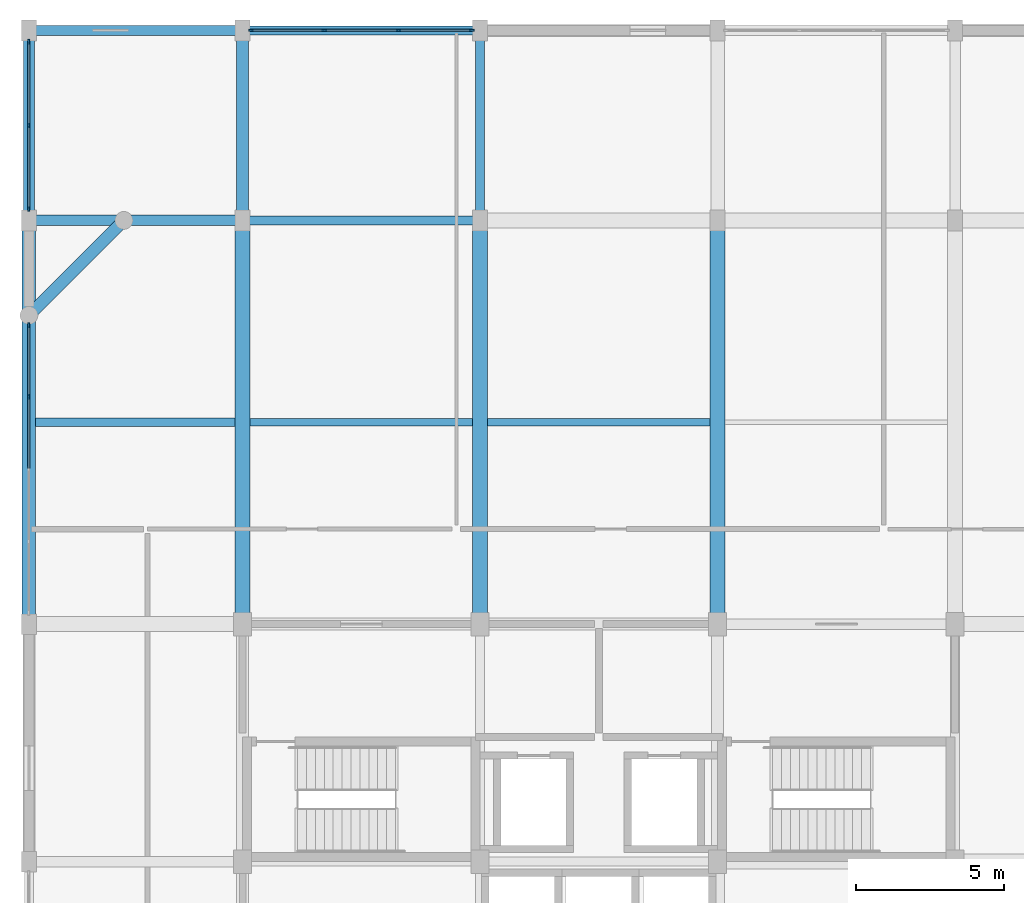
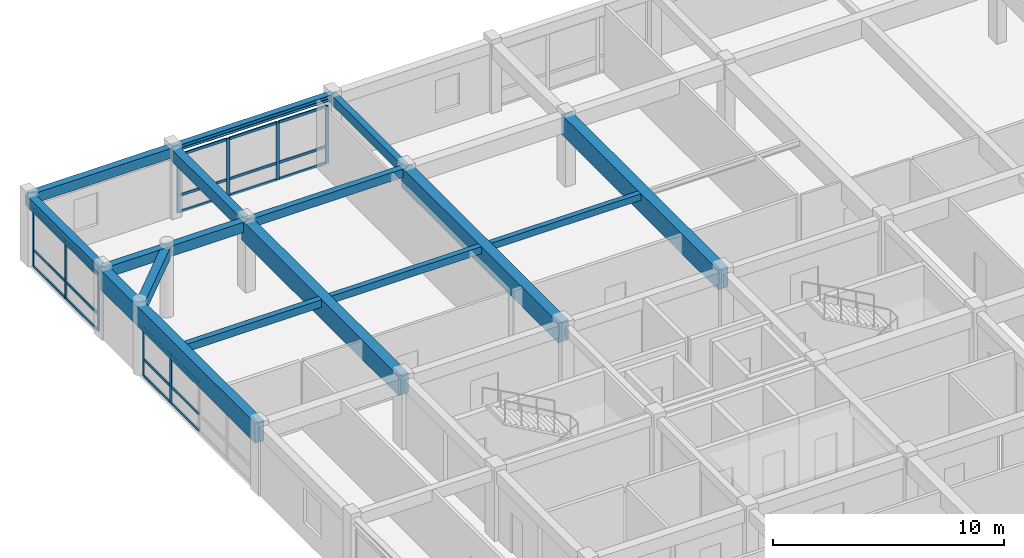
# One storey, part 5 of 13: 30 members, 15 beams, 3 elements without a shape of their own.
"""IFC4 building model written with IfcOpenShell, lengths in metres."""

from ifc_helpers import new_model, si_unit, direction, frame, origin, origin_2d, place, context, subcontext, project, spatial, rectangle, i_section, extrude, material, material_profile, profile_set, type_object, element, aggregate, save


model = new_model("IFC4")

# Units and contexts
model_context = context("Model", 3, precision=1e-05, world=origin(), true_north=direction((0.0, 1.0)))
body_context = subcontext(model_context, "Body", "Model", "MODEL_VIEW")
ifc_project = project(units=[si_unit("LENGTHUNIT", "METRE"), si_unit("AREAUNIT", "SQUARE_METRE"), si_unit("VOLUMEUNIT", "CUBIC_METRE"), si_unit("PLANEANGLEUNIT", "RADIAN"), si_unit("MASSUNIT", "GRAM", prefix="KILO")], contexts=[model_context])

# Site, building, storey
site_placement = place(None, origin())
site = spatial("IfcSite", under=ifc_project, at=site_placement, CompositionType="ELEMENT")
building_placement = place(site_placement, origin())
building = spatial("IfcBuilding", under=site, at=building_placement, Name="Vellmiral Cinema and Media Centre", CompositionType="ELEMENT")
storey_placement = place(building_placement, frame((0.0, 0.0, 50.89990234375)))
storey = spatial("IfcBuildingStorey", under=building, at=storey_placement, Name="L12", CompositionType="ELEMENT", Elevation=50.89990234375)

# Beams
ifc_material_1 = material(Name="Concrete C40/50", Category="concrete")
ifc_material_profile_1 = material_profile(ifc_material_1, rectangle(XDim=0.300048828125, YDim=0.449951171875, at=origin_2d()), Name="RC 300x450")
ifc_profile_set_1 = profile_set([ifc_material_profile_1], Name="Concrete C40/50")
beam_type_1 = type_object("IfcBeamType", Name="BM-RC-300x450", PredefinedType="BEAM", material=ifc_profile_set_1)
beam_1_placement = place(storey_placement, frame((124.0, 108.800048828125, 3.43017578125), z_axis=(1.0, 0.0, 0.0), x_axis=(0.0, 1.0, 0.0)))
element("IfcBeam", 1, at=beam_1_placement, inside=storey, type_object=beam_type_1, Name="Grid Beam L12-X026", PredefinedType="BEAM", context=body_context, shape_type="SweptSolid", body=[
    extrude(rectangle(XDim=0.300048828125, YDim=0.449951171875, at=origin_2d()), origin(), (0.0, 0.0, 1.0), 8.0),
])
ifc_material_2 = material(Name="Concrete C40/50", Category="concrete")
ifc_material_profile_2 = material_profile(ifc_material_2, rectangle(XDim=0.300048828125, YDim=0.5, at=origin_2d()), Name="RC 300x500")
ifc_profile_set_2 = profile_set([ifc_material_profile_2], Name="Concrete C40/50")
beam_type_2 = type_object("IfcBeamType", Name="BM-RC-300x500", PredefinedType="BEAM", material=ifc_profile_set_2)
beam_2_placement = place(storey_placement, frame((132.0, 108.800048828125, 3.405029296875), z_axis=(0.0, 1.0, 0.0), x_axis=(-1.0, 0.0, 0.0)))
element("IfcBeam", 2, at=beam_2_placement, inside=storey, type_object=beam_type_2, Name="Grid Beam L12-Y050", PredefinedType="BEAM", context=body_context, shape_type="SweptSolid", body=[
    extrude(rectangle(XDim=0.300048828125, YDim=0.5, at=origin_2d()), origin(), (0.0, 0.0, 1.0), 6.39990234375),
])
ifc_material_3 = material(Name="Concrete C40/50", Category="concrete")
ifc_material_profile_3 = material_profile(ifc_material_3, rectangle(XDim=0.35009765625, YDim=0.550048828125, at=origin_2d()), Name="RC 350x550")
ifc_profile_set_3 = profile_set([ifc_material_profile_3], Name="Concrete C40/50")
beam_type_3 = type_object("IfcBeamType", Name="BM-RC-350x550", PredefinedType="BEAM", material=ifc_profile_set_3)
beam_3_placement = place(storey_placement, frame((116.800048828125, 108.800048828125, 3.380126953125), z_axis=(1.0, 0.0, 0.0), x_axis=(0.0, 1.0, 0.0)))
element("IfcBeam", 3, at=beam_3_placement, inside=storey, type_object=beam_type_3, Name="Grid Beam L12-X025", PredefinedType="BEAM", context=body_context, shape_type="SweptSolid", body=[
    extrude(rectangle(XDim=0.35009765625, YDim=0.550048828125, at=origin_2d()), origin(), (0.0, 0.0, 1.0), 7.199951171875),
])
ifc_material_4 = material(Name="Concrete C40/50", Category="concrete")
ifc_material_profile_4 = material_profile(ifc_material_4, rectangle(XDim=0.39990234375, YDim=0.64990234375, at=origin_2d()), Name="RC 400x650")
ifc_profile_set_4 = profile_set([ifc_material_profile_4], Name="Concrete C40/50")
beam_type_4 = type_object("IfcBeamType", Name="BM-RC-400x650", PredefinedType="BEAM", material=ifc_profile_set_4)
beam_4_placement = place(storey_placement, frame((124.0, 108.800048828125, 3.330078125), z_axis=(0.0, 1.0, 0.0), x_axis=(-1.0, 0.0, 0.0)))
element("IfcBeam", 4, at=beam_4_placement, inside=storey, type_object=beam_type_4, Name="Grid Beam L12-Y045", PredefinedType="BEAM", context=body_context, shape_type="SweptSolid", body=[
    extrude(rectangle(XDim=0.39990234375, YDim=0.64990234375, at=origin_2d()), origin(), (0.0, 0.0, 1.0), 6.39990234375),
])
ifc_material_5 = material(Name="Concrete C40/50", Category="concrete")
ifc_material_profile_5 = material_profile(ifc_material_5, rectangle(XDim=0.5, YDim=1.050048828125, at=origin_2d()), Name="RC 500x1050")
ifc_profile_set_5 = profile_set([ifc_material_profile_5], Name="Concrete C40/50")
beam_type_5 = type_object("IfcBeamType", Name="BM-RCG-500x1050", PredefinedType="BEAM", material=ifc_profile_set_5)
for number, where, z_axis, x_axis, name in (
    (5, (124.0, 95.199951171875, 3.130126953125), (0.0, 1.0, 0.0), (-1.0, 0.0, 0.0), "Grid Beam L12-Y044"),
    (6, (132.0, 95.199951171875, 3.130126953125), (0.0, 1.0, 0.0), (-1.0, 0.0, 0.0), "Grid Beam L12-Y049"),
    (7, (140.0, 95.199951171875, 3.130126953125), (0.0, 1.0, 0.0), (-1.0, 0.0, 0.0), "Grid Beam L12-Y054"),
):
    element("IfcBeam", number, at=place(storey_placement, frame(where, z_axis=z_axis, x_axis=x_axis)), inside=storey, type_object=beam_type_5, Name=name, PredefinedType="BEAM", context=body_context, shape_type="SweptSolid", body=[
        extrude(rectangle(XDim=0.5, YDim=1.050048828125, at=origin_2d()), origin(), (0.0, 0.0, 1.0), 13.60009765625),
    ])

# Curtain wall, members
ifc_material_6 = material(Name="Thermally Broken Aluminium and Triple Glazing", Category="aluminium")
curtain_wall_type = type_object("IfcCurtainWallType", Name="CW-TOWER-MID-W", PredefinedType="USERDEFINED", material=ifc_material_6)
curtain_wall_1_placement = place(storey_placement, origin())
curtain_wall_1 = element("IfcCurtainWall", 8, at=curtain_wall_1_placement, inside=storey, type_object=curtain_wall_type, Name="Curtain Wall L12-B021", ObjectType="UNITISED CURTAIN WALL", PredefinedType="USERDEFINED")
ifc_material_7 = material(Name="Thermally Broken Anodised Aluminium", Category="aluminium")
ifc_material_profile_6 = material_profile(ifc_material_7, rectangle(XDim=0.06494140625, YDim=0.159912109375, at=origin_2d()), Name="MULL 65x160")
ifc_profile_set_6 = profile_set([ifc_material_profile_6], Name="Thermally Broken Anodised Aluminium")
member_type_1 = type_object("IfcMemberType", Name="CWM-65x160", PredefinedType="MULLION", material=ifc_profile_set_6)
member_1_placement = place(storey_placement, frame((131.717529296875, 115.199951171875, 0.0), z_axis=(0.0, 0.0, 1.0), x_axis=(0.0, -1.0, 0.0)))
member_1 = element("IfcMember", 9, at=member_1_placement, type_object=member_type_1, Name="CW-08 mullion 1", PredefinedType="MULLION", context=body_context, shape_type="SweptSolid", body=[
    extrude(rectangle(XDim=0.06494140625, YDim=0.159912109375, at=origin_2d()), origin(), (0.0, 0.0, 1.0), 3.06005859375),
])
member_2_placement = place(storey_placement, frame((129.25, 115.199951171875, 0.0), z_axis=(0.0, 0.0, 1.0), x_axis=(0.0, -1.0, 0.0)))
member_2 = element("IfcMember", 10, at=member_2_placement, type_object=member_type_1, Name="CW-08 mullion 2", PredefinedType="MULLION", context=body_context, shape_type="SweptSolid", body=[
    extrude(rectangle(XDim=0.06494140625, YDim=0.159912109375, at=origin_2d()), origin(), (0.0, 0.0, 1.0), 3.06005859375),
])
member_3_placement = place(storey_placement, frame((126.75, 115.199951171875, 0.0), z_axis=(0.0, 0.0, 1.0), x_axis=(0.0, -1.0, 0.0)))
member_3 = element("IfcMember", 11, at=member_3_placement, type_object=member_type_1, Name="CW-08 mullion 3", PredefinedType="MULLION", context=body_context, shape_type="SweptSolid", body=[
    extrude(rectangle(XDim=0.06494140625, YDim=0.159912109375, at=origin_2d()), origin(), (0.0, 0.0, 1.0), 3.06005859375),
])
member_4_placement = place(storey_placement, frame((124.282470703125, 115.199951171875, 0.0), z_axis=(0.0, 0.0, 1.0), x_axis=(0.0, -1.0, 0.0)))
member_4 = element("IfcMember", 12, at=member_4_placement, type_object=member_type_1, Name="CW-08 mullion 4", PredefinedType="MULLION", context=body_context, shape_type="SweptSolid", body=[
    extrude(rectangle(XDim=0.06494140625, YDim=0.159912109375, at=origin_2d()), origin(), (0.0, 0.0, 1.0), 3.06005859375),
])

curtain_wall_2_placement = place(storey_placement, origin())
curtain_wall_2 = element("IfcCurtainWall", 13, at=curtain_wall_2_placement, inside=storey, type_object=curtain_wall_type, Name="Curtain Wall L12-B023", ObjectType="UNITISED CURTAIN WALL", PredefinedType="USERDEFINED")
member_5_placement = place(storey_placement, frame((116.800048828125, 114.8173828125, 0.0), z_axis=(0.0, 0.0, 1.0), x_axis=(1.0, 0.0, 0.0)))
member_5 = element("IfcMember", 14, at=member_5_placement, type_object=member_type_1, Name="CW-08 mullion 1", PredefinedType="MULLION", context=body_context, shape_type="SweptSolid", body=[
    extrude(rectangle(XDim=0.06494140625, YDim=0.159912109375, at=origin_2d()), origin(), (0.0, 0.0, 1.0), 3.06005859375),
])
member_6_placement = place(storey_placement, frame((116.800048828125, 112.0, 0.0), z_axis=(0.0, 0.0, 1.0), x_axis=(1.0, 0.0, 0.0)))
member_6 = element("IfcMember", 15, at=member_6_placement, type_object=member_type_1, Name="CW-08 mullion 2", PredefinedType="MULLION", context=body_context, shape_type="SweptSolid", body=[
    extrude(rectangle(XDim=0.06494140625, YDim=0.159912109375, at=origin_2d()), origin(), (0.0, 0.0, 1.0), 3.06005859375),
])
member_7_placement = place(storey_placement, frame((116.800048828125, 109.1826171875, 0.0), z_axis=(0.0, 0.0, 1.0), x_axis=(1.0, 0.0, 0.0)))
member_7 = element("IfcMember", 16, at=member_7_placement, type_object=member_type_1, Name="CW-08 mullion 3", PredefinedType="MULLION", context=body_context, shape_type="SweptSolid", body=[
    extrude(rectangle(XDim=0.06494140625, YDim=0.159912109375, at=origin_2d()), origin(), (0.0, 0.0, 1.0), 3.06005859375),
])

curtain_wall_3_placement = place(storey_placement, origin())
curtain_wall_3 = element("IfcCurtainWall", 17, at=curtain_wall_3_placement, inside=storey, type_object=curtain_wall_type, Name="Curtain Wall L12-B025", ObjectType="UNITISED CURTAIN WALL", PredefinedType="USERDEFINED")
member_8_placement = place(storey_placement, frame((116.800048828125, 105.267578125, 0.0), z_axis=(0.0, 0.0, 1.0), x_axis=(1.0, 0.0, 0.0)))
member_8 = element("IfcMember", 18, at=member_8_placement, type_object=member_type_1, Name="CW-08 mullion 1", PredefinedType="MULLION", context=body_context, shape_type="SweptSolid", body=[
    extrude(rectangle(XDim=0.06494140625, YDim=0.159912109375, at=origin_2d()), origin(), (0.0, 0.0, 1.0), 2.59521484375),
])
member_9_placement = place(storey_placement, frame((116.800048828125, 102.862548828125, 0.0), z_axis=(0.0, 0.0, 1.0), x_axis=(1.0, 0.0, 0.0)))
member_9 = element("IfcMember", 19, at=member_9_placement, type_object=member_type_1, Name="CW-08 mullion 2", PredefinedType="MULLION", context=body_context, shape_type="SweptSolid", body=[
    extrude(rectangle(XDim=0.06494140625, YDim=0.159912109375, at=origin_2d()), origin(), (0.0, 0.0, 1.0), 2.59521484375),
])

# Member
ifc_material_8 = material(Name="Thermally Broken Anodised Aluminium", Category="aluminium")
ifc_material_profile_7 = material_profile(ifc_material_8, rectangle(XDim=0.06494140625, YDim=0.135009765625, at=origin_2d()), Name="MULL 65x135")
ifc_profile_set_7 = profile_set([ifc_material_profile_7], Name="Thermally Broken Anodised Aluminium")
member_type_2 = type_object("IfcMemberType", Name="CWT-65x135", PredefinedType="USERDEFINED", material=ifc_profile_set_7)
member_10_placement = place(storey_placement, frame((131.68505859375, 115.199951171875, 0.03271484375), z_axis=(-1.0, 0.0, 0.0), x_axis=(0.0, -1.0, 0.0)))
member_10 = element("IfcMember", 20, at=member_10_placement, type_object=member_type_2, Name="CW-08 transom 1.1", ObjectType="TRANSOM", PredefinedType="USERDEFINED", context=body_context, shape_type="SweptSolid", body=[
    extrude(rectangle(XDim=0.06494140625, YDim=0.135009765625, at=origin_2d()), origin(), (0.0, 0.0, 1.0), 2.402587890625),
])

member_11_placement = place(storey_placement, frame((131.68505859375, 115.199951171875, 0.900146484375), z_axis=(-1.0, 0.0, 0.0), x_axis=(0.0, -1.0, 0.0)))
member_11 = element("IfcMember", 21, at=member_11_placement, type_object=member_type_2, Name="CW-08 transom 1.2", ObjectType="TRANSOM", PredefinedType="USERDEFINED", context=body_context, shape_type="SweptSolid", body=[
    extrude(rectangle(XDim=0.06494140625, YDim=0.135009765625, at=origin_2d()), origin(), (0.0, 0.0, 1.0), 2.402587890625),
])

member_12_placement = place(storey_placement, frame((131.68505859375, 115.199951171875, 3.027587890625), z_axis=(-1.0, 0.0, 0.0), x_axis=(0.0, -1.0, 0.0)))
member_12 = element("IfcMember", 22, at=member_12_placement, type_object=member_type_2, Name="CW-08 transom 1.3", ObjectType="TRANSOM", PredefinedType="USERDEFINED", context=body_context, shape_type="SweptSolid", body=[
    extrude(rectangle(XDim=0.06494140625, YDim=0.135009765625, at=origin_2d()), origin(), (0.0, 0.0, 1.0), 2.402587890625),
])

member_13_placement = place(storey_placement, frame((129.217529296875, 115.199951171875, 0.03271484375), z_axis=(-1.0, 0.0, 0.0), x_axis=(0.0, -1.0, 0.0)))
member_13 = element("IfcMember", 23, at=member_13_placement, type_object=member_type_2, Name="CW-08 transom 2.1", ObjectType="TRANSOM", PredefinedType="USERDEFINED", context=body_context, shape_type="SweptSolid", body=[
    extrude(rectangle(XDim=0.06494140625, YDim=0.135009765625, at=origin_2d()), origin(), (0.0, 0.0, 1.0), 2.43505859375),
])

member_14_placement = place(storey_placement, frame((129.217529296875, 115.199951171875, 0.900146484375), z_axis=(-1.0, 0.0, 0.0), x_axis=(0.0, -1.0, 0.0)))
member_14 = element("IfcMember", 24, at=member_14_placement, type_object=member_type_2, Name="CW-08 transom 2.2", ObjectType="TRANSOM", PredefinedType="USERDEFINED", context=body_context, shape_type="SweptSolid", body=[
    extrude(rectangle(XDim=0.06494140625, YDim=0.135009765625, at=origin_2d()), origin(), (0.0, 0.0, 1.0), 2.43505859375),
])

member_15_placement = place(storey_placement, frame((129.217529296875, 115.199951171875, 3.027587890625), z_axis=(-1.0, 0.0, 0.0), x_axis=(0.0, -1.0, 0.0)))
member_15 = element("IfcMember", 25, at=member_15_placement, type_object=member_type_2, Name="CW-08 transom 2.3", ObjectType="TRANSOM", PredefinedType="USERDEFINED", context=body_context, shape_type="SweptSolid", body=[
    extrude(rectangle(XDim=0.06494140625, YDim=0.135009765625, at=origin_2d()), origin(), (0.0, 0.0, 1.0), 2.43505859375),
])

member_16_placement = place(storey_placement, frame((126.717529296875, 115.199951171875, 0.03271484375), z_axis=(-1.0, 0.0, 0.0), x_axis=(0.0, -1.0, 0.0)))
member_16 = element("IfcMember", 26, at=member_16_placement, type_object=member_type_2, Name="CW-08 transom 3.1", ObjectType="TRANSOM", PredefinedType="USERDEFINED", context=body_context, shape_type="SweptSolid", body=[
    extrude(rectangle(XDim=0.06494140625, YDim=0.135009765625, at=origin_2d()), origin(), (0.0, 0.0, 1.0), 2.402587890625),
])

member_17_placement = place(storey_placement, frame((126.717529296875, 115.199951171875, 0.900146484375), z_axis=(-1.0, 0.0, 0.0), x_axis=(0.0, -1.0, 0.0)))
member_17 = element("IfcMember", 27, at=member_17_placement, type_object=member_type_2, Name="CW-08 transom 3.2", ObjectType="TRANSOM", PredefinedType="USERDEFINED", context=body_context, shape_type="SweptSolid", body=[
    extrude(rectangle(XDim=0.06494140625, YDim=0.135009765625, at=origin_2d()), origin(), (0.0, 0.0, 1.0), 2.402587890625),
])

member_18_placement = place(storey_placement, frame((126.717529296875, 115.199951171875, 3.027587890625), z_axis=(-1.0, 0.0, 0.0), x_axis=(0.0, -1.0, 0.0)))
member_18 = element("IfcMember", 28, at=member_18_placement, type_object=member_type_2, Name="CW-08 transom 3.3", ObjectType="TRANSOM", PredefinedType="USERDEFINED", context=body_context, shape_type="SweptSolid", body=[
    extrude(rectangle(XDim=0.06494140625, YDim=0.135009765625, at=origin_2d()), origin(), (0.0, 0.0, 1.0), 2.402587890625),
])

aggregate(curtain_wall_1, [member_1, member_2, member_3, member_4, member_10, member_11, member_12, member_13, member_14, member_15, member_16, member_17, member_18])

member_19_placement = place(storey_placement, frame((116.800048828125, 114.784912109375, 0.03271484375), z_axis=(0.0, -1.0, 0.0), x_axis=(1.0, 0.0, 0.0)))
member_19 = element("IfcMember", 29, at=member_19_placement, type_object=member_type_2, Name="CW-08 transom 1.1", ObjectType="TRANSOM", PredefinedType="USERDEFINED", context=body_context, shape_type="SweptSolid", body=[
    extrude(rectangle(XDim=0.06494140625, YDim=0.135009765625, at=origin_2d()), origin(), (0.0, 0.0, 1.0), 2.75244140625),
])

member_20_placement = place(storey_placement, frame((116.800048828125, 114.784912109375, 0.900146484375), z_axis=(0.0, -1.0, 0.0), x_axis=(1.0, 0.0, 0.0)))
member_20 = element("IfcMember", 30, at=member_20_placement, type_object=member_type_2, Name="CW-08 transom 1.2", ObjectType="TRANSOM", PredefinedType="USERDEFINED", context=body_context, shape_type="SweptSolid", body=[
    extrude(rectangle(XDim=0.06494140625, YDim=0.135009765625, at=origin_2d()), origin(), (0.0, 0.0, 1.0), 2.75244140625),
])

member_21_placement = place(storey_placement, frame((116.800048828125, 114.784912109375, 3.027587890625), z_axis=(0.0, -1.0, 0.0), x_axis=(1.0, 0.0, 0.0)))
member_21 = element("IfcMember", 31, at=member_21_placement, type_object=member_type_2, Name="CW-08 transom 1.3", ObjectType="TRANSOM", PredefinedType="USERDEFINED", context=body_context, shape_type="SweptSolid", body=[
    extrude(rectangle(XDim=0.06494140625, YDim=0.135009765625, at=origin_2d()), origin(), (0.0, 0.0, 1.0), 2.75244140625),
])

member_22_placement = place(storey_placement, frame((116.800048828125, 111.967529296875, 0.03271484375), z_axis=(0.0, -1.0, 0.0), x_axis=(1.0, 0.0, 0.0)))
member_22 = element("IfcMember", 32, at=member_22_placement, type_object=member_type_2, Name="CW-08 transom 2.1", ObjectType="TRANSOM", PredefinedType="USERDEFINED", context=body_context, shape_type="SweptSolid", body=[
    extrude(rectangle(XDim=0.06494140625, YDim=0.135009765625, at=origin_2d()), origin(), (0.0, 0.0, 1.0), 2.75244140625),
])

member_23_placement = place(storey_placement, frame((116.800048828125, 111.967529296875, 0.900146484375), z_axis=(0.0, -1.0, 0.0), x_axis=(1.0, 0.0, 0.0)))
member_23 = element("IfcMember", 33, at=member_23_placement, type_object=member_type_2, Name="CW-08 transom 2.2", ObjectType="TRANSOM", PredefinedType="USERDEFINED", context=body_context, shape_type="SweptSolid", body=[
    extrude(rectangle(XDim=0.06494140625, YDim=0.135009765625, at=origin_2d()), origin(), (0.0, 0.0, 1.0), 2.75244140625),
])

member_24_placement = place(storey_placement, frame((116.800048828125, 111.967529296875, 3.027587890625), z_axis=(0.0, -1.0, 0.0), x_axis=(1.0, 0.0, 0.0)))
member_24 = element("IfcMember", 34, at=member_24_placement, type_object=member_type_2, Name="CW-08 transom 2.3", ObjectType="TRANSOM", PredefinedType="USERDEFINED", context=body_context, shape_type="SweptSolid", body=[
    extrude(rectangle(XDim=0.06494140625, YDim=0.135009765625, at=origin_2d()), origin(), (0.0, 0.0, 1.0), 2.75244140625),
])

aggregate(curtain_wall_2, [member_5, member_6, member_7, member_19, member_20, member_21, member_22, member_23, member_24])

member_25_placement = place(storey_placement, frame((116.800048828125, 105.235107421875, 0.03271484375), z_axis=(0.0, -1.0, 0.0), x_axis=(1.0, 0.0, 0.0)))
member_25 = element("IfcMember", 35, at=member_25_placement, type_object=member_type_2, Name="CW-08 transom 1.1", ObjectType="TRANSOM", PredefinedType="USERDEFINED", context=body_context, shape_type="SweptSolid", body=[
    extrude(rectangle(XDim=0.06494140625, YDim=0.135009765625, at=origin_2d()), origin(), (0.0, 0.0, 1.0), 2.340087890625),
])

member_26_placement = place(storey_placement, frame((116.800048828125, 105.235107421875, 0.900146484375), z_axis=(0.0, -1.0, 0.0), x_axis=(1.0, 0.0, 0.0)))
member_26 = element("IfcMember", 36, at=member_26_placement, type_object=member_type_2, Name="CW-08 transom 1.2", ObjectType="TRANSOM", PredefinedType="USERDEFINED", context=body_context, shape_type="SweptSolid", body=[
    extrude(rectangle(XDim=0.06494140625, YDim=0.135009765625, at=origin_2d()), origin(), (0.0, 0.0, 1.0), 2.340087890625),
])

member_27_placement = place(storey_placement, frame((116.800048828125, 105.235107421875, 2.5625), z_axis=(0.0, -1.0, 0.0), x_axis=(1.0, 0.0, 0.0)))
member_27 = element("IfcMember", 37, at=member_27_placement, type_object=member_type_2, Name="CW-08 transom 1.3", ObjectType="TRANSOM", PredefinedType="USERDEFINED", context=body_context, shape_type="SweptSolid", body=[
    extrude(rectangle(XDim=0.06494140625, YDim=0.135009765625, at=origin_2d()), origin(), (0.0, 0.0, 1.0), 2.340087890625),
])

member_28_placement = place(storey_placement, frame((116.800048828125, 102.830078125, 0.03271484375), z_axis=(0.0, -1.0, 0.0), x_axis=(1.0, 0.0, 0.0)))
member_28 = element("IfcMember", 38, at=member_28_placement, type_object=member_type_2, Name="CW-08 transom 2.1", ObjectType="TRANSOM", PredefinedType="USERDEFINED", context=body_context, shape_type="SweptSolid", body=[
    extrude(rectangle(XDim=0.06494140625, YDim=0.135009765625, at=origin_2d()), origin(), (0.0, 0.0, 1.0), 2.37255859375),
])

member_29_placement = place(storey_placement, frame((116.800048828125, 102.830078125, 0.900146484375), z_axis=(0.0, -1.0, 0.0), x_axis=(1.0, 0.0, 0.0)))
member_29 = element("IfcMember", 39, at=member_29_placement, type_object=member_type_2, Name="CW-08 transom 2.2", ObjectType="TRANSOM", PredefinedType="USERDEFINED", context=body_context, shape_type="SweptSolid", body=[
    extrude(rectangle(XDim=0.06494140625, YDim=0.135009765625, at=origin_2d()), origin(), (0.0, 0.0, 1.0), 2.37255859375),
])

member_30_placement = place(storey_placement, frame((116.800048828125, 102.830078125, 2.5625), z_axis=(0.0, -1.0, 0.0), x_axis=(1.0, 0.0, 0.0)))
member_30 = element("IfcMember", 40, at=member_30_placement, type_object=member_type_2, Name="CW-08 transom 2.3", ObjectType="TRANSOM", PredefinedType="USERDEFINED", context=body_context, shape_type="SweptSolid", body=[
    extrude(rectangle(XDim=0.06494140625, YDim=0.135009765625, at=origin_2d()), origin(), (0.0, 0.0, 1.0), 2.37255859375),
])

aggregate(curtain_wall_3, [member_8, member_9, member_25, member_26, member_27, member_28, member_29, member_30])

# Beams
ifc_material_9 = material(Name="Concrete C40/50", Category="concrete")
ifc_material_profile_8 = material_profile(ifc_material_9, rectangle(XDim=0.25, YDim=0.35009765625, at=origin_2d()), Name="RC 250x350")
ifc_profile_set_8 = profile_set([ifc_material_profile_8], Name="Concrete C40/50")
beam_type_6 = type_object("IfcBeamType", Name="JST-RC-250x350", PredefinedType="JOIST", material=ifc_profile_set_8)
beam_5_placement = place(storey_placement, frame((132.25, 102.0, 3.47998046875), z_axis=(1.0, 0.0, 0.0), x_axis=(0.0, 1.0, 0.0)))
element("IfcBeam", 41, at=beam_5_placement, inside=storey, type_object=beam_type_6, Name="Secondary Floor Joist L12-003", PredefinedType="JOIST", context=body_context, shape_type="SweptSolid", body=[
    extrude(rectangle(XDim=0.25, YDim=0.35009765625, at=origin_2d()), origin(), (0.0, 0.0, 1.0), 7.5),
])
ifc_material_10 = material(Name="Concrete C40/50", Category="concrete")
ifc_material_profile_9 = material_profile(ifc_material_10, rectangle(XDim=0.260009765625, YDim=0.3798828125, at=origin_2d()), Name="RC 260x380")
ifc_profile_set_9 = profile_set([ifc_material_profile_9], Name="Concrete C40/50")
beam_type_7 = type_object("IfcBeamType", Name="JST-RC-260x380", PredefinedType="JOIST", material=ifc_profile_set_9)
beam_6_placement = place(storey_placement, frame((124.25, 102.0, 3.465087890625), z_axis=(1.0, 0.0, 0.0), x_axis=(0.0, 1.0, 0.0)))
element("IfcBeam", 42, at=beam_6_placement, inside=storey, type_object=beam_type_7, Name="Secondary Floor Joist L12-002", PredefinedType="JOIST", context=body_context, shape_type="SweptSolid", body=[
    extrude(rectangle(XDim=0.260009765625, YDim=0.3798828125, at=origin_2d()), origin(), (0.0, 0.0, 1.0), 7.5),
])
ifc_material_11 = material(Name="Concrete C40/50", Category="concrete")
ifc_material_profile_10 = material_profile(ifc_material_11, rectangle(XDim=0.280029296875, YDim=0.39990234375, at=origin_2d()), Name="RC 280x400")
ifc_profile_set_10 = profile_set([ifc_material_profile_10], Name="Concrete C40/50")
beam_type_8 = type_object("IfcBeamType", Name="JST-RC-280x400", PredefinedType="JOIST", material=ifc_profile_set_10)
beam_7_placement = place(storey_placement, frame((117.02490234375, 102.0, 3.455078125), z_axis=(1.0, 0.0, 0.0), x_axis=(0.0, 1.0, 0.0)))
element("IfcBeam", 43, at=beam_7_placement, inside=storey, type_object=beam_type_8, Name="Secondary Floor Joist L12-001", PredefinedType="JOIST", context=body_context, shape_type="SweptSolid", body=[
    extrude(rectangle(XDim=0.280029296875, YDim=0.39990234375, at=origin_2d()), origin(), (0.0, 0.0, 1.0), 6.72509765625),
])
ifc_material_12 = material(Name="Steel S355", Category="steel")
ifc_material_profile_11 = material_profile(ifc_material_12, i_section(OverallWidth=0.300048828125, OverallDepth=0.300048828125, WebThickness=0.010986328125, FlangeThickness=0.01904296875, FilletRadius=0.027099609375, at=origin_2d()), Name="HEB 300")
ifc_profile_set_11 = profile_set([ifc_material_profile_11], Name="Steel S355")
beam_type_9 = type_object("IfcBeamType", Name="SBM-HEB300", PredefinedType="SPANDREL", material=ifc_profile_set_11)
beam_8_placement = place(storey_placement, frame((124.0, 115.199951171875, 3.505126953125), z_axis=(1.0, 0.0, 0.0), x_axis=(0.0, 1.0, 0.0)))
element("IfcBeam", 44, at=beam_8_placement, inside=storey, type_object=beam_type_9, Name="Grid Beam L12-X032", PredefinedType="SPANDREL", context=body_context, shape_type="SweptSolid", body=[
    extrude(i_section(OverallWidth=0.300048828125, OverallDepth=0.300048828125, WebThickness=0.010986328125, FlangeThickness=0.01904296875, FilletRadius=0.027099609375, at=origin_2d()), origin(), (0.0, 0.0, 1.0), 8.0),
])
ifc_material_13 = material(Name="Concrete C40/50", Category="concrete")
ifc_material_profile_12 = material_profile(ifc_material_13, rectangle(XDim=0.39990234375, YDim=0.60009765625, at=origin_2d()), Name="RC 400x600")
ifc_profile_set_12 = profile_set([ifc_material_profile_12], Name="Concrete C40/50")
beam_type_10 = type_object("IfcBeamType", Name="SPD-RC-400x600", PredefinedType="SPANDREL", material=ifc_profile_set_12)
beam_9_placement = place(storey_placement, frame((116.800048828125, 105.60009765625, 3.35498046875), z_axis=(0.707106781187, 0.707106781187, 0.0), x_axis=(-0.707106781187, 0.707106781187, 0.0)))
element("IfcBeam", 45, at=beam_9_placement, inside=storey, type_object=beam_type_10, Name="Xamfra Chamfer Spandrel Beam L12-071", PredefinedType="SPANDREL", context=body_context, shape_type="SweptSolid", body=[
    extrude(rectangle(XDim=0.39990234375, YDim=0.60009765625, at=origin_2d()), origin(), (0.0, 0.0, 1.0), 4.525390625),
])
ifc_material_14 = material(Name="Concrete C40/50", Category="concrete")
ifc_material_profile_13 = material_profile(ifc_material_14, rectangle(XDim=0.449951171875, YDim=1.050048828125, at=origin_2d()), Name="RC 450x1050")
ifc_profile_set_13 = profile_set([ifc_material_profile_13], Name="Concrete C40/50")
beam_type_11 = type_object("IfcBeamType", Name="SPD-RCG-450x1050", PredefinedType="SPANDREL", material=ifc_profile_set_13)
beam_10_placement = place(storey_placement, frame((116.800048828125, 95.199951171875, 3.130126953125), z_axis=(0.0, 1.0, 0.0), x_axis=(-1.0, 0.0, 0.0)))
element("IfcBeam", 46, at=beam_10_placement, inside=storey, type_object=beam_type_11, Name="Grid Beam L12-Y039", PredefinedType="SPANDREL", context=body_context, shape_type="SweptSolid", body=[
    extrude(rectangle(XDim=0.449951171875, YDim=1.050048828125, at=origin_2d()), origin(), (0.0, 0.0, 1.0), 13.60009765625),
])
ifc_material_15 = material(Name="Vosges Red Sandstone Masonry", Category="masonry")
ifc_material_profile_14 = material_profile(ifc_material_15, rectangle(XDim=0.340087890625, YDim=0.52001953125, at=origin_2d()), Name="SAND 340x520")
ifc_profile_set_14 = profile_set([ifc_material_profile_14], Name="Vosges Red Sandstone Masonry")
beam_type_12 = type_object("IfcBeamType", Name="SPD-SAND-340x520", PredefinedType="SPANDREL", material=ifc_profile_set_14)
beam_11_placement = place(storey_placement, frame((116.800048828125, 115.199951171875, 3.39501953125), z_axis=(1.0, 0.0, 0.0), x_axis=(0.0, 1.0, 0.0)))
element("IfcBeam", 47, at=beam_11_placement, inside=storey, type_object=beam_type_12, Name="Grid Beam L12-X031", PredefinedType="SPANDREL", context=body_context, shape_type="SweptSolid", body=[
    extrude(rectangle(XDim=0.340087890625, YDim=0.52001953125, at=origin_2d()), origin(), (0.0, 0.0, 1.0), 7.199951171875),
])
ifc_material_16 = material(Name="Vosges Red Sandstone Masonry", Category="masonry")
ifc_material_profile_15 = material_profile(ifc_material_16, rectangle(XDim=0.3798828125, YDim=0.580078125, at=origin_2d()), Name="SAND 380x580")
ifc_profile_set_15 = profile_set([ifc_material_profile_15], Name="Vosges Red Sandstone Masonry")
beam_type_13 = type_object("IfcBeamType", Name="SPD-SAND-380x580", PredefinedType="SPANDREL", material=ifc_profile_set_15)
beam_12_placement = place(storey_placement, frame((116.800048828125, 108.800048828125, 3.364990234375), z_axis=(0.0, 1.0, 0.0), x_axis=(-1.0, 0.0, 0.0)))
element("IfcBeam", 48, at=beam_12_placement, inside=storey, type_object=beam_type_13, Name="Grid Beam L12-Y040", PredefinedType="SPANDREL", context=body_context, shape_type="SweptSolid", body=[
    extrude(rectangle(XDim=0.3798828125, YDim=0.580078125, at=origin_2d()), origin(), (0.0, 0.0, 1.0), 6.39990234375),
])

save(model, "model.ifc")
